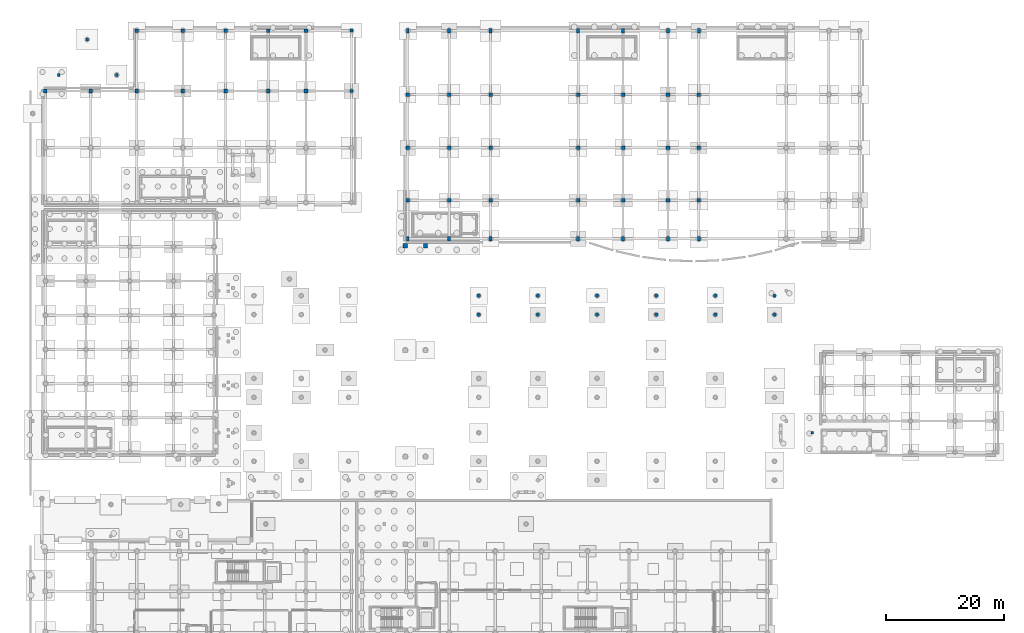
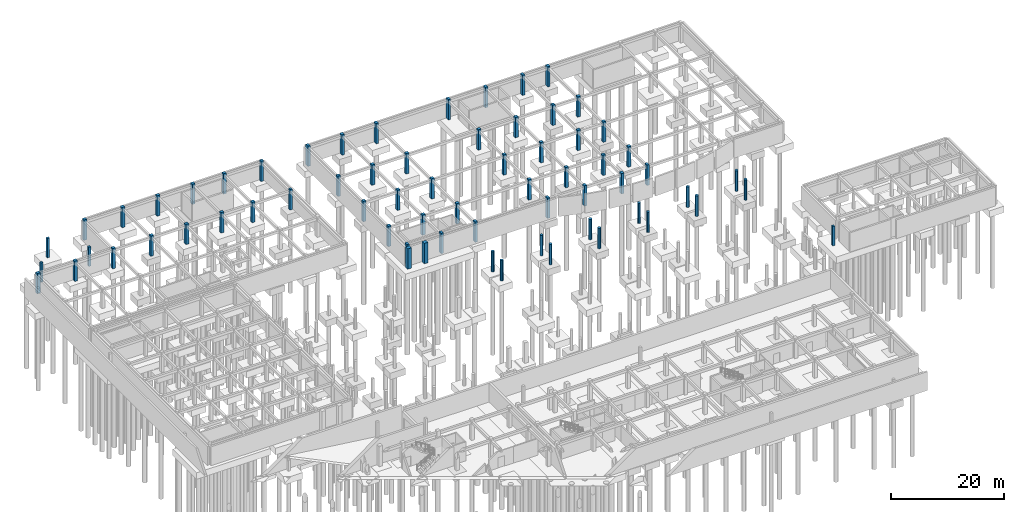
# One storey, part 8 of 22: 67 columns.
"""IFC4 building model written with IfcOpenShell, lengths in metres."""

from ifc_helpers import new_model, si_unit, direction, frame, origin, origin_2d, place, context, subcontext, project, spatial, rectangle, circle, extrude, material, material_profile, profile_set, type_object, element, save


model = new_model("IFC4")

# Units and contexts
model_context = context("Model", 3, precision=1e-05, world=origin(), true_north=direction((0.0, 1.0)))
body_context = subcontext(model_context, "Body", "Model", "MODEL_VIEW")
ifc_project = project(units=[si_unit("LENGTHUNIT", "METRE"), si_unit("AREAUNIT", "SQUARE_METRE"), si_unit("VOLUMEUNIT", "CUBIC_METRE"), si_unit("PLANEANGLEUNIT", "RADIAN"), si_unit("MASSUNIT", "GRAM", prefix="KILO")], contexts=[model_context])

# Site, building, storey
site_placement = place(None, origin())
site = spatial("IfcSite", under=ifc_project, at=site_placement, CompositionType="ELEMENT")
building_placement = place(site_placement, origin())
building = spatial("IfcBuilding", under=site, at=building_placement, Name="Valcora Specialist Clinic", CompositionType="ELEMENT")
storey_placement = place(building_placement, frame((0.0, 0.0, -4.419921875)))
storey = spatial("IfcBuildingStorey", under=building, at=storey_placement, Name="B1", CompositionType="ELEMENT", Elevation=-4.419921875)

# Columns
ifc_material = material(Name="Concrete C40/50", Category="concrete")
ifc_material_profile_1 = material_profile(ifc_material, rectangle(XDim=0.75, YDim=0.75, at=origin_2d()), Name="RC-PED-750X750")
ifc_profile_set_1 = profile_set([ifc_material_profile_1], Name="Concrete C40/50")
column_type_1 = type_object("IfcColumnType", Name="TY-COL-PED750", PredefinedType="COLUMN", material=ifc_profile_set_1)
for number, where, z_axis, x_axis, name in (
    (1, (61.60009765625, 73.60009765625, 0.0), (0.0, 0.0, 1.0), (1.0, 0.0, 0.0), "Column COL-B1-0977"),
    (2, (65.0, 73.60009765625, 0.0), (0.0, 0.0, 1.0), (1.0, 0.0, 0.0), "Column COL-B1-1001"),
):
    element("IfcColumn", number, at=place(storey_placement, frame(where, z_axis=z_axis, x_axis=x_axis)), inside=storey, type_object=column_type_1, Name=name, PredefinedType="COLUMN", context=body_context, shape_type="SweptSolid", body=[
        extrude(rectangle(XDim=0.75, YDim=0.75, at=origin_2d()), origin(), (0.0, 0.0, 1.0), 4.419921875),
    ])
ifc_material_profile_2 = material_profile(ifc_material, rectangle(XDim=0.449951171875, YDim=0.449951171875, at=origin_2d()), Name="RC-COL-450X450")
ifc_profile_set_2 = profile_set([ifc_material_profile_2], Name="Concrete C40/50")
column_type_2 = type_object("IfcColumnType", Name="TY-COL-RC450", PredefinedType="COLUMN", material=ifc_profile_set_2)
for number, where, z_axis, x_axis, name in (
    (3, (130.39990234375, 42.0, 0.0), (0.0, 0.0, 1.0), (1.0, 0.0, 0.0), "Column COL-B1-1032"),
    (4, (3.0, 102.5, 0.0), (0.0, 0.0, 1.0), (1.0, 0.0, 0.0), "Foundation support pier COL-APR-B1-013"),
    (5, (12.800048828125, 102.5, 0.0), (0.0, 0.0, 1.0), (1.0, 0.0, 0.0), "Foundation support pier COL-APR-B1-014"),
    (6, (7.800048828125, 108.5, 0.0), (0.0, 0.0, 1.0), (1.0, 0.0, 0.0), "Foundation support pier COL-APR-B1-015"),
):
    element("IfcColumn", number, at=place(storey_placement, frame(where, z_axis=z_axis, x_axis=x_axis)), inside=storey, type_object=column_type_2, Name=name, PredefinedType="COLUMN", context=body_context, shape_type="SweptSolid", body=[
        extrude(rectangle(XDim=0.449951171875, YDim=0.449951171875, at=origin_2d()), origin(), (0.0, 0.0, 1.0), 4.199951171875),
    ])
ifc_material_profile_3 = material_profile(ifc_material, rectangle(XDim=0.5, YDim=0.5, at=origin_2d()), Name="RC-COL-500X500")
ifc_profile_set_3 = profile_set([ifc_material_profile_3], Name="Concrete C40/50")
column_type_3 = type_object("IfcColumnType", Name="TY-COL-RC500", PredefinedType="COLUMN", material=ifc_profile_set_3)
for number, where, z_axis, x_axis, name in (
    (7, (52.5, 99.800048828125, 0.0), (0.0, 0.0, 1.0), (1.0, 0.0, 0.0), "Column COL-B1-0243"),
    (8, (52.5, 110.0, 0.0), (0.0, 0.0, 1.0), (1.0, 0.0, 0.0), "Column COL-B1-0246"),
):
    element("IfcColumn", number, at=place(storey_placement, frame(where, z_axis=z_axis, x_axis=x_axis)), inside=storey, type_object=column_type_3, Name=name, PredefinedType="COLUMN", context=body_context, shape_type="SweptSolid", body=[
        extrude(rectangle(XDim=0.5, YDim=0.5, at=origin_2d()), origin(), (0.0, 0.0, 1.0), 4.419921875),
    ])
ifc_material_profile_4 = material_profile(ifc_material, rectangle(XDim=0.5, YDim=0.75, at=origin_2d()), Name="RC-COL-500X750")
ifc_profile_set_4 = profile_set([ifc_material_profile_4], Name="Concrete C40/50")
column_type_4 = type_object("IfcColumnType", Name="TY-COL-RC500X750", PredefinedType="COLUMN", material=ifc_profile_set_4)
for number, where, z_axis, x_axis, name in (
    (9, (62.0, 74.800048828125, 0.0), (0.0, 0.0, 1.0), (1.0, 0.0, 0.0), "Column COL-B1-0301"),
    (10, (62.0, 110.0, 0.0), (0.0, 0.0, 1.0), (1.0, 0.0, 0.0), "Column COL-B1-0321"),
    (11, (69.0, 74.800048828125, 0.0), (0.0, 0.0, 1.0), (1.0, 0.0, 0.0), "Column COL-B1-0326"),
    (12, (69.0, 110.0, 0.0), (0.0, 0.0, 1.0), (1.0, 0.0, 0.0), "Column COL-B1-0346"),
    (13, (76.0, 74.800048828125, 0.0), (0.0, 0.0, 1.0), (1.0, 0.0, 0.0), "Column COL-B1-0351"),
    (14, (76.0, 110.0, 0.0), (0.0, 0.0, 1.0), (1.0, 0.0, 0.0), "Column COL-B1-0371"),
    (15, (90.800048828125, 74.800048828125, 0.0), (0.0, 0.0, 1.0), (1.0, 0.0, 0.0), "Column COL-B1-0376"),
    (16, (90.800048828125, 110.0, 0.0), (0.0, 0.0, 1.0), (1.0, 0.0, 0.0), "Column COL-B1-0396"),
    (17, (98.39990234375, 74.800048828125, 0.0), (0.0, 0.0, 1.0), (1.0, 0.0, 0.0), "Column COL-B1-0401"),
    (18, (98.39990234375, 110.0, 0.0), (0.0, 0.0, 1.0), (1.0, 0.0, 0.0), "Column COL-B1-0421"),
    (19, (106.0, 74.800048828125, 0.0), (0.0, 0.0, 1.0), (1.0, 0.0, 0.0), "Column COL-B1-0426"),
    (20, (106.0, 110.0, 0.0), (0.0, 0.0, 1.0), (1.0, 0.0, 0.0), "Column COL-B1-0446"),
    (21, (111.199951171875, 74.800048828125, 0.0), (0.0, 0.0, 1.0), (1.0, 0.0, 0.0), "Column COL-B1-0451"),
    (22, (111.199951171875, 110.0, 0.0), (0.0, 0.0, 1.0), (1.0, 0.0, 0.0), "Column COL-B1-0471"),
):
    element("IfcColumn", number, at=place(storey_placement, frame(where, z_axis=z_axis, x_axis=x_axis)), inside=storey, type_object=column_type_4, Name=name, PredefinedType="COLUMN", context=body_context, shape_type="SweptSolid", body=[
        extrude(rectangle(XDim=0.5, YDim=0.75, at=origin_2d()), origin(), (0.0, 0.0, 1.0), 4.419921875),
    ])
ifc_material_profile_5 = material_profile(ifc_material, rectangle(XDim=0.60009765625, YDim=0.60009765625, at=origin_2d()), Name="RC-COL-600X600")
ifc_profile_set_5 = profile_set([ifc_material_profile_5], Name="Concrete C40/50")
column_type_5 = type_object("IfcColumnType", Name="TY-COL-RC600", PredefinedType="COLUMN", material=ifc_profile_set_5)
for number, where, z_axis, x_axis, name in (
    (23, (0.75, 99.800048828125, 0.0), (0.0, 0.0, 1.0), (1.0, 0.0, 0.0), "Column COL-B1-0141"),
    (24, (8.39990234375, 99.800048828125, 0.0), (0.0, 0.0, 1.0), (1.0, 0.0, 0.0), "Column COL-B1-0153"),
    (25, (16.199951171875, 99.800048828125, 0.0), (0.0, 0.0, 1.0), (1.0, 0.0, 0.0), "Column COL-B1-0165"),
    (26, (16.199951171875, 110.0, 0.0), (0.0, 0.0, 1.0), (1.0, 0.0, 0.0), "Column COL-B1-0169"),
    (27, (24.0, 99.800048828125, 0.0), (0.0, 0.0, 1.0), (1.0, 0.0, 0.0), "Column COL-B1-0181"),
    (28, (24.0, 110.0, 0.0), (0.0, 0.0, 1.0), (1.0, 0.0, 0.0), "Column COL-B1-0185"),
    (29, (31.199951171875, 99.800048828125, 0.0), (0.0, 0.0, 1.0), (1.0, 0.0, 0.0), "Column COL-B1-0197"),
    (30, (31.199951171875, 110.0, 0.0), (0.0, 0.0, 1.0), (1.0, 0.0, 0.0), "Column COL-B1-0201"),
    (31, (38.39990234375, 99.800048828125, 0.0), (0.0, 0.0, 1.0), (1.0, 0.0, 0.0), "Column COL-B1-0213"),
    (32, (38.39990234375, 110.0, 0.0), (0.0, 0.0, 1.0), (1.0, 0.0, 0.0), "Column COL-B1-0217"),
    (33, (44.800048828125, 99.800048828125, 0.0), (0.0, 0.0, 1.0), (1.0, 0.0, 0.0), "Column COL-B1-0229"),
    (34, (44.800048828125, 110.0, 0.0), (0.0, 0.0, 1.0), (1.0, 0.0, 0.0), "Column COL-B1-0233"),
    (35, (62.0, 81.300048828125, 0.0), (0.0, 0.0, 1.0), (1.0, 0.0, 0.0), "Column COL-B1-0306"),
    (36, (62.0, 90.199951171875, 0.0), (0.0, 0.0, 1.0), (1.0, 0.0, 0.0), "Column COL-B1-0311"),
    (37, (62.0, 99.199951171875, 0.0), (0.0, 0.0, 1.0), (1.0, 0.0, 0.0), "Column COL-B1-0316"),
    (38, (69.0, 81.300048828125, 0.0), (0.0, 0.0, 1.0), (1.0, 0.0, 0.0), "Column COL-B1-0331"),
    (39, (69.0, 90.199951171875, 0.0), (0.0, 0.0, 1.0), (1.0, 0.0, 0.0), "Column COL-B1-0336"),
    (40, (69.0, 99.199951171875, 0.0), (0.0, 0.0, 1.0), (1.0, 0.0, 0.0), "Column COL-B1-0341"),
    (41, (76.0, 81.300048828125, 0.0), (0.0, 0.0, 1.0), (1.0, 0.0, 0.0), "Column COL-B1-0356"),
    (42, (76.0, 90.199951171875, 0.0), (0.0, 0.0, 1.0), (1.0, 0.0, 0.0), "Column COL-B1-0361"),
    (43, (76.0, 99.199951171875, 0.0), (0.0, 0.0, 1.0), (1.0, 0.0, 0.0), "Column COL-B1-0366"),
    (44, (90.800048828125, 81.300048828125, 0.0), (0.0, 0.0, 1.0), (1.0, 0.0, 0.0), "Column COL-B1-0381"),
    (45, (90.800048828125, 90.199951171875, 0.0), (0.0, 0.0, 1.0), (1.0, 0.0, 0.0), "Column COL-B1-0386"),
    (46, (90.800048828125, 99.199951171875, 0.0), (0.0, 0.0, 1.0), (1.0, 0.0, 0.0), "Column COL-B1-0391"),
    (47, (98.39990234375, 81.300048828125, 0.0), (0.0, 0.0, 1.0), (1.0, 0.0, 0.0), "Column COL-B1-0406"),
    (48, (98.39990234375, 90.199951171875, 0.0), (0.0, 0.0, 1.0), (1.0, 0.0, 0.0), "Column COL-B1-0411"),
    (49, (98.39990234375, 99.199951171875, 0.0), (0.0, 0.0, 1.0), (1.0, 0.0, 0.0), "Column COL-B1-0416"),
    (50, (106.0, 81.300048828125, 0.0), (0.0, 0.0, 1.0), (1.0, 0.0, 0.0), "Column COL-B1-0431"),
    (51, (106.0, 90.199951171875, 0.0), (0.0, 0.0, 1.0), (1.0, 0.0, 0.0), "Column COL-B1-0436"),
    (52, (106.0, 99.199951171875, 0.0), (0.0, 0.0, 1.0), (1.0, 0.0, 0.0), "Column COL-B1-0441"),
    (53, (111.199951171875, 81.300048828125, 0.0), (0.0, 0.0, 1.0), (1.0, 0.0, 0.0), "Column COL-B1-0456"),
    (54, (111.199951171875, 90.199951171875, 0.0), (0.0, 0.0, 1.0), (1.0, 0.0, 0.0), "Column COL-B1-0461"),
    (55, (111.199951171875, 99.199951171875, 0.0), (0.0, 0.0, 1.0), (1.0, 0.0, 0.0), "Column COL-B1-0466"),
):
    element("IfcColumn", number, at=place(storey_placement, frame(where, z_axis=z_axis, x_axis=x_axis)), inside=storey, type_object=column_type_5, Name=name, PredefinedType="COLUMN", context=body_context, shape_type="SweptSolid", body=[
        extrude(rectangle(XDim=0.60009765625, YDim=0.60009765625, at=origin_2d()), origin(), (0.0, 0.0, 1.0), 4.419921875),
    ])
ifc_material_profile_6 = material_profile(ifc_material, circle(Radius=0.300048828125, at=origin_2d()), Name="RC-COL-D600")
ifc_profile_set_6 = profile_set([ifc_material_profile_6], Name="Concrete C40/50")
column_type_6 = type_object("IfcColumnType", Name="TY-COL-RCD600", PredefinedType="COLUMN", material=ifc_profile_set_6)
for number, where, z_axis, x_axis, name in (
    (56, (74.0, 62.0, 0.0), (0.0, 0.0, 1.0), (1.0, 0.0, 0.0), "Column COL-B1-1122"),
    (57, (74.0, 65.199951171875, 0.0), (0.0, 0.0, 1.0), (1.0, 0.0, 0.0), "Column COL-B1-1124"),
    (58, (84.0, 62.0, 0.0), (0.0, 0.0, 1.0), (1.0, 0.0, 0.0), "Column COL-B1-1134"),
    (59, (84.0, 65.199951171875, 0.0), (0.0, 0.0, 1.0), (1.0, 0.0, 0.0), "Column COL-B1-1136"),
    (60, (94.0, 62.0, 0.0), (0.0, 0.0, 1.0), (1.0, 0.0, 0.0), "Column COL-B1-1146"),
    (61, (94.0, 65.199951171875, 0.0), (0.0, 0.0, 1.0), (1.0, 0.0, 0.0), "Column COL-B1-1148"),
    (62, (104.0, 62.0, 0.0), (0.0, 0.0, 1.0), (1.0, 0.0, 0.0), "Column COL-B1-1158"),
    (63, (104.0, 65.199951171875, 0.0), (0.0, 0.0, 1.0), (1.0, 0.0, 0.0), "Column COL-B1-1160"),
    (64, (114.0, 62.0, 0.0), (0.0, 0.0, 1.0), (1.0, 0.0, 0.0), "Column COL-B1-1170"),
    (65, (114.0, 65.199951171875, 0.0), (0.0, 0.0, 1.0), (1.0, 0.0, 0.0), "Column COL-B1-1172"),
    (66, (124.0, 62.0, 0.0), (0.0, 0.0, 1.0), (1.0, 0.0, 0.0), "Column COL-B1-1182"),
    (67, (124.0, 65.199951171875, 0.0), (0.0, 0.0, 1.0), (1.0, 0.0, 0.0), "Column COL-B1-1184"),
):
    element("IfcColumn", number, at=place(storey_placement, frame(where, z_axis=z_axis, x_axis=x_axis)), inside=storey, type_object=column_type_6, Name=name, PredefinedType="COLUMN", context=body_context, shape_type="SweptSolid", body=[
        extrude(circle(Radius=0.300048828125, at=origin_2d()), origin(), (0.0, 0.0, 1.0), 4.419921875),
    ])

save(model, "model.ifc")
